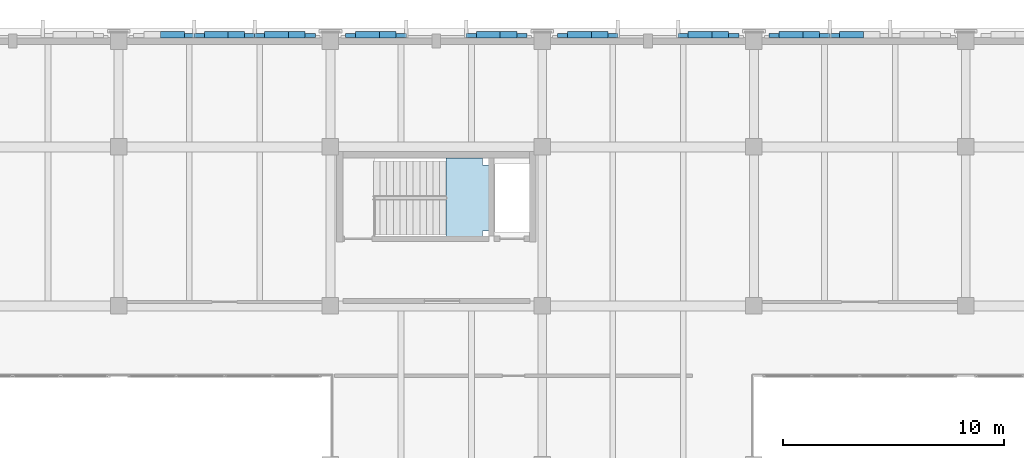
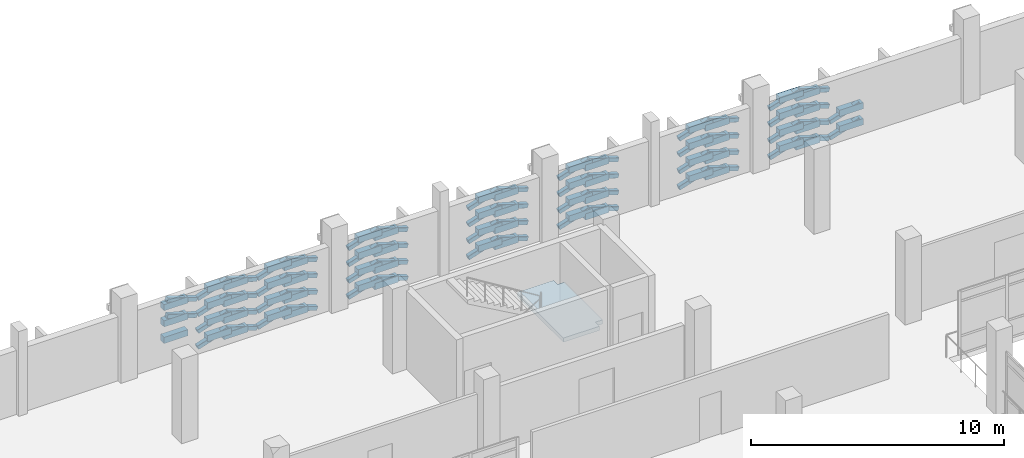
# One storey, part 136 of 180: 121 plates, 1 slab, 1 element without a shape of its own.
"""IFC4 building model written with IfcOpenShell, lengths in metres."""

from ifc_helpers import new_model, si_unit, direction, frame, origin, origin_2d, place, context, subcontext, project, spatial, polyline, rectangle, hollow_rectangle, outline, extrude, material, layer, layer_set, material_profile, profile_set, type_object, element, aggregate, save


model = new_model("IFC4")

# Units and contexts
model_context = context("Model", 3, precision=1e-05, world=origin(), true_north=direction((0.0, 1.0)))
body_context = subcontext(model_context, "Body", "Model", "MODEL_VIEW")
ifc_project = project(units=[si_unit("LENGTHUNIT", "METRE"), si_unit("AREAUNIT", "SQUARE_METRE"), si_unit("VOLUMEUNIT", "CUBIC_METRE"), si_unit("PLANEANGLEUNIT", "RADIAN"), si_unit("MASSUNIT", "GRAM", prefix="KILO")], contexts=[model_context])

# Site, building, storey
site_placement = place(None, origin())
site = spatial("IfcSite", under=ifc_project, at=site_placement, CompositionType="ELEMENT")
building_placement = place(site_placement, origin())
building = spatial("IfcBuilding", under=site, at=building_placement, Name="Asteropetra Specialist Clinic", CompositionType="ELEMENT")
storey_placement = place(building_placement, frame((0.0, 0.0, 4.419921875)))
storey = spatial("IfcBuildingStorey", under=building, at=storey_placement, Name="L01", CompositionType="ELEMENT", Elevation=4.419921875)

# Plates
ifc_material_1 = material(Name="Chevron emerald aluminium 6063-T6", Category="aluminium")
ifc_material_profile = material_profile(ifc_material_1, hollow_rectangle(XDim=0.199951171875, YDim=0.199951171875, WallThickness=0.010009765625, InnerFilletRadius=0.008056640625, OuterFilletRadius=0.01611328125, at=origin_2d()), Name="SHS 200x200x10.0")
ifc_profile_set = profile_set([ifc_material_profile], Name="Chevron emerald aluminium 6063-T6")
plate_type_1 = type_object("IfcPlateType", Name="CHV-RIB-200", PredefinedType="SHEET", material=ifc_profile_set)
plate_1_placement = place(storey_placement, frame((28.0849609375, 110.652099609375, 0.050048828125), z_axis=(-0.952426149832, 0.0, 0.304769468807), x_axis=(0.0, -1.0, 0.0)))
element("IfcPlate", 1, at=plate_1_placement, inside=storey, type_object=plate_type_1, Name="Chevron Facade Screen Fin CVR-0419", PredefinedType="SHEET", context=body_context, shape_type="SweptSolid", body=[
    extrude(hollow_rectangle(XDim=0.199951171875, YDim=0.199951171875, WallThickness=0.010009765625, InnerFilletRadius=0.008056640625, OuterFilletRadius=0.01611328125, at=origin_2d()), origin(), (0.0, 0.0, 1.0), 1.41552734375),
])
plate_2_placement = place(storey_placement, frame((26.73681640625, 110.652099609375, 0.4814453125), z_axis=(-0.952458175178, 0.0, -0.304669369214), x_axis=(0.0, -1.0, 0.0)))
element("IfcPlate", 2, at=plate_2_placement, inside=storey, type_object=plate_type_1, Name="Chevron Facade Screen Fin CVR-0420", PredefinedType="SHEET", context=body_context, shape_type="SweptSolid", body=[
    extrude(hollow_rectangle(XDim=0.199951171875, YDim=0.199951171875, WallThickness=0.010009765625, InnerFilletRadius=0.008056640625, OuterFilletRadius=0.01611328125, at=origin_2d()), origin(), (0.0, 0.0, 1.0), 1.416015625),
])
plate_3_placement = place(storey_placement, frame((28.0849609375, 110.652099609375, 0.820068359375), z_axis=(-0.952426149832, 0.0, 0.304769468807), x_axis=(0.0, -1.0, 0.0)))
element("IfcPlate", 3, at=plate_3_placement, inside=storey, type_object=plate_type_1, Name="Chevron Facade Screen Fin CVR-0421", PredefinedType="SHEET", context=body_context, shape_type="SweptSolid", body=[
    extrude(hollow_rectangle(XDim=0.199951171875, YDim=0.199951171875, WallThickness=0.010009765625, InnerFilletRadius=0.008056640625, OuterFilletRadius=0.01611328125, at=origin_2d()), origin(), (0.0, 0.0, 1.0), 1.41552734375),
])
plate_4_placement = place(storey_placement, frame((26.73681640625, 110.652099609375, 1.25146484375), z_axis=(-0.952458175178, 0.0, -0.304669369214), x_axis=(0.0, -1.0, 0.0)))
element("IfcPlate", 4, at=plate_4_placement, inside=storey, type_object=plate_type_1, Name="Chevron Facade Screen Fin CVR-0422", PredefinedType="SHEET", context=body_context, shape_type="SweptSolid", body=[
    extrude(hollow_rectangle(XDim=0.199951171875, YDim=0.199951171875, WallThickness=0.010009765625, InnerFilletRadius=0.008056640625, OuterFilletRadius=0.01611328125, at=origin_2d()), origin(), (0.0, 0.0, 1.0), 1.416015625),
])
plate_5_placement = place(storey_placement, frame((28.0849609375, 110.652099609375, 1.6201171875), z_axis=(-0.952426149832, 0.0, 0.304769468807), x_axis=(0.0, -1.0, 0.0)))
element("IfcPlate", 5, at=plate_5_placement, inside=storey, type_object=plate_type_1, Name="Chevron Facade Screen Fin CVR-0423", PredefinedType="SHEET", context=body_context, shape_type="SweptSolid", body=[
    extrude(hollow_rectangle(XDim=0.199951171875, YDim=0.199951171875, WallThickness=0.010009765625, InnerFilletRadius=0.008056640625, OuterFilletRadius=0.01611328125, at=origin_2d()), origin(), (0.0, 0.0, 1.0), 1.41552734375),
])
plate_6_placement = place(storey_placement, frame((26.73681640625, 110.652099609375, 2.051513671875), z_axis=(-0.952458175178, 0.0, -0.304669369214), x_axis=(0.0, -1.0, 0.0)))
element("IfcPlate", 6, at=plate_6_placement, inside=storey, type_object=plate_type_1, Name="Chevron Facade Screen Fin CVR-0424", PredefinedType="SHEET", context=body_context, shape_type="SweptSolid", body=[
    extrude(hollow_rectangle(XDim=0.199951171875, YDim=0.199951171875, WallThickness=0.010009765625, InnerFilletRadius=0.008056640625, OuterFilletRadius=0.01611328125, at=origin_2d()), origin(), (0.0, 0.0, 1.0), 1.416015625),
])
plate_7_placement = place(storey_placement, frame((28.0849609375, 110.652099609375, 2.400146484375), z_axis=(-0.952426149832, 0.0, 0.304769468807), x_axis=(0.0, -1.0, 0.0)))
element("IfcPlate", 7, at=plate_7_placement, inside=storey, type_object=plate_type_1, Name="Chevron Facade Screen Fin CVR-0425", PredefinedType="SHEET", context=body_context, shape_type="SweptSolid", body=[
    extrude(hollow_rectangle(XDim=0.199951171875, YDim=0.199951171875, WallThickness=0.010009765625, InnerFilletRadius=0.008056640625, OuterFilletRadius=0.01611328125, at=origin_2d()), origin(), (0.0, 0.0, 1.0), 1.41552734375),
])
plate_8_placement = place(storey_placement, frame((26.73681640625, 110.652099609375, 2.83154296875), z_axis=(-0.952458175178, 0.0, -0.304669369214), x_axis=(0.0, -1.0, 0.0)))
element("IfcPlate", 8, at=plate_8_placement, inside=storey, type_object=plate_type_1, Name="Chevron Facade Screen Fin CVR-0426", PredefinedType="SHEET", context=body_context, shape_type="SweptSolid", body=[
    extrude(hollow_rectangle(XDim=0.199951171875, YDim=0.199951171875, WallThickness=0.010009765625, InnerFilletRadius=0.008056640625, OuterFilletRadius=0.01611328125, at=origin_2d()), origin(), (0.0, 0.0, 1.0), 1.416015625),
])
for number, where, z_axis, x_axis, name in (
    (9, (25.348388671875, 110.652099609375, 0.050048828125), (-0.95244216645, 0.0, 0.304719411211), (0.0, -1.0, 0.0), "Chevron Facade Screen Fin CVR-0427"),
    (10, (24.0, 110.652099609375, 0.4814453125), (-0.95244216645, 0.0, -0.304719411211), (0.0, -1.0, 0.0), "Chevron Facade Screen Fin CVR-0428"),
    (11, (25.348388671875, 110.652099609375, 0.820068359375), (-0.95244216645, 0.0, 0.304719411211), (0.0, -1.0, 0.0), "Chevron Facade Screen Fin CVR-0429"),
    (12, (24.0, 110.652099609375, 1.25146484375), (-0.95244216645, 0.0, -0.304719411211), (0.0, -1.0, 0.0), "Chevron Facade Screen Fin CVR-0430"),
    (13, (25.348388671875, 110.652099609375, 1.6201171875), (-0.95244216645, 0.0, 0.304719411211), (0.0, -1.0, 0.0), "Chevron Facade Screen Fin CVR-0431"),
    (14, (24.0, 110.652099609375, 2.051513671875), (-0.95244216645, 0.0, -0.304719411211), (0.0, -1.0, 0.0), "Chevron Facade Screen Fin CVR-0432"),
    (15, (25.348388671875, 110.652099609375, 2.400146484375), (-0.95244216645, 0.0, 0.304719411211), (0.0, -1.0, 0.0), "Chevron Facade Screen Fin CVR-0433"),
    (16, (24.0, 110.652099609375, 2.83154296875), (-0.95244216645, 0.0, -0.304719411211), (0.0, -1.0, 0.0), "Chevron Facade Screen Fin CVR-0434"),
):
    element("IfcPlate", number, at=place(storey_placement, frame(where, z_axis=z_axis, x_axis=x_axis)), inside=storey, type_object=plate_type_1, Name=name, PredefinedType="SHEET", context=body_context, shape_type="SweptSolid", body=[
        extrude(hollow_rectangle(XDim=0.199951171875, YDim=0.199951171875, WallThickness=0.010009765625, InnerFilletRadius=0.008056640625, OuterFilletRadius=0.01611328125, at=origin_2d()), origin(), (0.0, 0.0, 1.0), 1.415771484375),
    ])
for number, where, z_axis, x_axis, name in (
    (17, (22.61181640625, 110.652099609375, 1.6201171875), (-0.952458175178, 0.0, 0.304669369214), (0.0, -1.0, 0.0), "Chevron Facade Screen Fin CVR-0439"),
    (18, (22.61181640625, 110.652099609375, 2.400146484375), (-0.952458175178, 0.0, 0.304669369214), (0.0, -1.0, 0.0), "Chevron Facade Screen Fin CVR-0441"),
):
    element("IfcPlate", number, at=place(storey_placement, frame(where, z_axis=z_axis, x_axis=x_axis)), inside=storey, type_object=plate_type_1, Name=name, PredefinedType="SHEET", context=body_context, shape_type="SweptSolid", body=[
        extrude(hollow_rectangle(XDim=0.199951171875, YDim=0.199951171875, WallThickness=0.010009765625, InnerFilletRadius=0.008056640625, OuterFilletRadius=0.01611328125, at=origin_2d()), origin(), (0.0, 0.0, 1.0), 1.416015625),
    ])
for number, where, z_axis, x_axis, name in (
    (19, (37.68505859375, 110.652099609375, 0.050048828125), (-0.95244216645, 0.0, 0.304719411211), (0.0, -1.0, 0.0), "Chevron Facade Screen Fin CVR-0467"),
    (20, (36.336669921875, 110.652099609375, 0.4814453125), (-0.95244216645, 0.0, -0.304719411211), (0.0, -1.0, 0.0), "Chevron Facade Screen Fin CVR-0468"),
    (21, (37.68505859375, 110.652099609375, 0.820068359375), (-0.95244216645, 0.0, 0.304719411211), (0.0, -1.0, 0.0), "Chevron Facade Screen Fin CVR-0469"),
    (22, (36.336669921875, 110.652099609375, 1.25146484375), (-0.95244216645, 0.0, -0.304719411211), (0.0, -1.0, 0.0), "Chevron Facade Screen Fin CVR-0470"),
    (23, (37.68505859375, 110.652099609375, 1.6201171875), (-0.95244216645, 0.0, 0.304719411211), (0.0, -1.0, 0.0), "Chevron Facade Screen Fin CVR-0471"),
    (24, (36.336669921875, 110.652099609375, 2.051513671875), (-0.95244216645, 0.0, -0.304719411211), (0.0, -1.0, 0.0), "Chevron Facade Screen Fin CVR-0472"),
    (25, (37.68505859375, 110.652099609375, 2.400146484375), (-0.95244216645, 0.0, 0.304719411211), (0.0, -1.0, 0.0), "Chevron Facade Screen Fin CVR-0473"),
    (26, (36.336669921875, 110.652099609375, 2.83154296875), (-0.95244216645, 0.0, -0.304719411211), (0.0, -1.0, 0.0), "Chevron Facade Screen Fin CVR-0474"),
    (27, (32.211669921875, 110.652099609375, 0.050048828125), (-0.95244216645, 0.0, 0.304719411211), (0.0, -1.0, 0.0), "Chevron Facade Screen Fin CVR-0475"),
    (28, (30.86328125, 110.652099609375, 0.4814453125), (-0.95244216645, 0.0, -0.304719411211), (0.0, -1.0, 0.0), "Chevron Facade Screen Fin CVR-0476"),
    (29, (32.211669921875, 110.652099609375, 0.820068359375), (-0.95244216645, 0.0, 0.304719411211), (0.0, -1.0, 0.0), "Chevron Facade Screen Fin CVR-0477"),
    (30, (30.86328125, 110.652099609375, 1.25146484375), (-0.95244216645, 0.0, -0.304719411211), (0.0, -1.0, 0.0), "Chevron Facade Screen Fin CVR-0478"),
    (31, (32.211669921875, 110.652099609375, 1.6201171875), (-0.95244216645, 0.0, 0.304719411211), (0.0, -1.0, 0.0), "Chevron Facade Screen Fin CVR-0479"),
    (32, (30.86328125, 110.652099609375, 2.051513671875), (-0.95244216645, 0.0, -0.304719411211), (0.0, -1.0, 0.0), "Chevron Facade Screen Fin CVR-0480"),
    (33, (32.211669921875, 110.652099609375, 2.400146484375), (-0.95244216645, 0.0, 0.304719411211), (0.0, -1.0, 0.0), "Chevron Facade Screen Fin CVR-0481"),
    (34, (30.86328125, 110.652099609375, 2.83154296875), (-0.95244216645, 0.0, -0.304719411211), (0.0, -1.0, 0.0), "Chevron Facade Screen Fin CVR-0482"),
):
    element("IfcPlate", number, at=place(storey_placement, frame(where, z_axis=z_axis, x_axis=x_axis)), inside=storey, type_object=plate_type_1, Name=name, PredefinedType="SHEET", context=body_context, shape_type="SweptSolid", body=[
        extrude(hollow_rectangle(XDim=0.199951171875, YDim=0.199951171875, WallThickness=0.010009765625, InnerFilletRadius=0.008056640625, OuterFilletRadius=0.01611328125, at=origin_2d()), origin(), (0.0, 0.0, 1.0), 1.415771484375),
    ])
plate_9_placement = place(storey_placement, frame((47.284912109375, 110.652099609375, 0.050048828125), z_axis=(-0.952426149832, 0.0, 0.304769468807), x_axis=(0.0, -1.0, 0.0)))
element("IfcPlate", 35, at=plate_9_placement, inside=storey, type_object=plate_type_1, Name="Chevron Facade Screen Fin CVR-0507", PredefinedType="SHEET", context=body_context, shape_type="SweptSolid", body=[
    extrude(hollow_rectangle(XDim=0.199951171875, YDim=0.199951171875, WallThickness=0.010009765625, InnerFilletRadius=0.008056640625, OuterFilletRadius=0.01611328125, at=origin_2d()), origin(), (0.0, 0.0, 1.0), 1.41552734375),
])
plate_10_placement = place(storey_placement, frame((45.936767578125, 110.652099609375, 0.4814453125), z_axis=(-0.95244216645, 0.0, -0.304719411211), x_axis=(0.0, -1.0, 0.0)))
element("IfcPlate", 36, at=plate_10_placement, inside=storey, type_object=plate_type_1, Name="Chevron Facade Screen Fin CVR-0508", PredefinedType="SHEET", context=body_context, shape_type="SweptSolid", body=[
    extrude(hollow_rectangle(XDim=0.199951171875, YDim=0.199951171875, WallThickness=0.010009765625, InnerFilletRadius=0.008056640625, OuterFilletRadius=0.01611328125, at=origin_2d()), origin(), (0.0, 0.0, 1.0), 1.415771484375),
])
plate_11_placement = place(storey_placement, frame((47.284912109375, 110.652099609375, 0.820068359375), z_axis=(-0.952426149832, 0.0, 0.304769468807), x_axis=(0.0, -1.0, 0.0)))
element("IfcPlate", 37, at=plate_11_placement, inside=storey, type_object=plate_type_1, Name="Chevron Facade Screen Fin CVR-0509", PredefinedType="SHEET", context=body_context, shape_type="SweptSolid", body=[
    extrude(hollow_rectangle(XDim=0.199951171875, YDim=0.199951171875, WallThickness=0.010009765625, InnerFilletRadius=0.008056640625, OuterFilletRadius=0.01611328125, at=origin_2d()), origin(), (0.0, 0.0, 1.0), 1.41552734375),
])
plate_12_placement = place(storey_placement, frame((45.936767578125, 110.652099609375, 1.25146484375), z_axis=(-0.95244216645, 0.0, -0.304719411211), x_axis=(0.0, -1.0, 0.0)))
element("IfcPlate", 38, at=plate_12_placement, inside=storey, type_object=plate_type_1, Name="Chevron Facade Screen Fin CVR-0510", PredefinedType="SHEET", context=body_context, shape_type="SweptSolid", body=[
    extrude(hollow_rectangle(XDim=0.199951171875, YDim=0.199951171875, WallThickness=0.010009765625, InnerFilletRadius=0.008056640625, OuterFilletRadius=0.01611328125, at=origin_2d()), origin(), (0.0, 0.0, 1.0), 1.415771484375),
])
plate_13_placement = place(storey_placement, frame((47.284912109375, 110.652099609375, 1.6201171875), z_axis=(-0.952426149832, 0.0, 0.304769468807), x_axis=(0.0, -1.0, 0.0)))
element("IfcPlate", 39, at=plate_13_placement, inside=storey, type_object=plate_type_1, Name="Chevron Facade Screen Fin CVR-0511", PredefinedType="SHEET", context=body_context, shape_type="SweptSolid", body=[
    extrude(hollow_rectangle(XDim=0.199951171875, YDim=0.199951171875, WallThickness=0.010009765625, InnerFilletRadius=0.008056640625, OuterFilletRadius=0.01611328125, at=origin_2d()), origin(), (0.0, 0.0, 1.0), 1.41552734375),
])
plate_14_placement = place(storey_placement, frame((45.936767578125, 110.652099609375, 2.051513671875), z_axis=(-0.95244216645, 0.0, -0.304719411211), x_axis=(0.0, -1.0, 0.0)))
element("IfcPlate", 40, at=plate_14_placement, inside=storey, type_object=plate_type_1, Name="Chevron Facade Screen Fin CVR-0512", PredefinedType="SHEET", context=body_context, shape_type="SweptSolid", body=[
    extrude(hollow_rectangle(XDim=0.199951171875, YDim=0.199951171875, WallThickness=0.010009765625, InnerFilletRadius=0.008056640625, OuterFilletRadius=0.01611328125, at=origin_2d()), origin(), (0.0, 0.0, 1.0), 1.415771484375),
])
plate_15_placement = place(storey_placement, frame((47.284912109375, 110.652099609375, 2.400146484375), z_axis=(-0.952426149832, 0.0, 0.304769468807), x_axis=(0.0, -1.0, 0.0)))
element("IfcPlate", 41, at=plate_15_placement, inside=storey, type_object=plate_type_1, Name="Chevron Facade Screen Fin CVR-0513", PredefinedType="SHEET", context=body_context, shape_type="SweptSolid", body=[
    extrude(hollow_rectangle(XDim=0.199951171875, YDim=0.199951171875, WallThickness=0.010009765625, InnerFilletRadius=0.008056640625, OuterFilletRadius=0.01611328125, at=origin_2d()), origin(), (0.0, 0.0, 1.0), 1.41552734375),
])
for number, where, z_axis, x_axis, name in (
    (42, (45.936767578125, 110.652099609375, 2.83154296875), (-0.95244216645, 0.0, -0.304719411211), (0.0, -1.0, 0.0), "Chevron Facade Screen Fin CVR-0514"),
    (43, (41.811767578125, 110.652099609375, 0.050048828125), (-0.95244216645, 0.0, 0.304719411211), (0.0, -1.0, 0.0), "Chevron Facade Screen Fin CVR-0515"),
    (44, (40.46337890625, 110.652099609375, 0.4814453125), (-0.95244216645, 0.0, -0.304719411211), (0.0, -1.0, 0.0), "Chevron Facade Screen Fin CVR-0516"),
    (45, (41.811767578125, 110.652099609375, 0.820068359375), (-0.95244216645, 0.0, 0.304719411211), (0.0, -1.0, 0.0), "Chevron Facade Screen Fin CVR-0517"),
    (46, (40.46337890625, 110.652099609375, 1.25146484375), (-0.95244216645, 0.0, -0.304719411211), (0.0, -1.0, 0.0), "Chevron Facade Screen Fin CVR-0518"),
    (47, (41.811767578125, 110.652099609375, 1.6201171875), (-0.95244216645, 0.0, 0.304719411211), (0.0, -1.0, 0.0), "Chevron Facade Screen Fin CVR-0519"),
    (48, (40.46337890625, 110.652099609375, 2.051513671875), (-0.95244216645, 0.0, -0.304719411211), (0.0, -1.0, 0.0), "Chevron Facade Screen Fin CVR-0520"),
    (49, (41.811767578125, 110.652099609375, 2.400146484375), (-0.95244216645, 0.0, 0.304719411211), (0.0, -1.0, 0.0), "Chevron Facade Screen Fin CVR-0521"),
    (50, (40.46337890625, 110.652099609375, 2.83154296875), (-0.95244216645, 0.0, -0.304719411211), (0.0, -1.0, 0.0), "Chevron Facade Screen Fin CVR-0522"),
    (51, (52.800048828125, 110.652099609375, 0.4814453125), (-0.95244216645, 0.0, -0.304719411211), (0.0, -1.0, 0.0), "Chevron Facade Screen Fin CVR-0556"),
    (52, (52.800048828125, 110.652099609375, 1.25146484375), (-0.95244216645, 0.0, -0.304719411211), (0.0, -1.0, 0.0), "Chevron Facade Screen Fin CVR-0558"),
    (53, (51.41162109375, 110.652099609375, 0.050048828125), (-0.95244216645, 0.0, 0.304719411211), (0.0, -1.0, 0.0), "Chevron Facade Screen Fin CVR-0563"),
):
    element("IfcPlate", number, at=place(storey_placement, frame(where, z_axis=z_axis, x_axis=x_axis)), inside=storey, type_object=plate_type_1, Name=name, PredefinedType="SHEET", context=body_context, shape_type="SweptSolid", body=[
        extrude(hollow_rectangle(XDim=0.199951171875, YDim=0.199951171875, WallThickness=0.010009765625, InnerFilletRadius=0.008056640625, OuterFilletRadius=0.01611328125, at=origin_2d()), origin(), (0.0, 0.0, 1.0), 1.415771484375),
    ])
plate_16_placement = place(storey_placement, frame((50.063232421875, 110.652099609375, 0.4814453125), z_axis=(-0.952426149832, 0.0, -0.304769468807), x_axis=(0.0, -1.0, 0.0)))
element("IfcPlate", 54, at=plate_16_placement, inside=storey, type_object=plate_type_1, Name="Chevron Facade Screen Fin CVR-0564", PredefinedType="SHEET", context=body_context, shape_type="SweptSolid", body=[
    extrude(hollow_rectangle(XDim=0.199951171875, YDim=0.199951171875, WallThickness=0.010009765625, InnerFilletRadius=0.008056640625, OuterFilletRadius=0.01611328125, at=origin_2d()), origin(), (0.0, 0.0, 1.0), 1.41552734375),
])
plate_17_placement = place(storey_placement, frame((51.41162109375, 110.652099609375, 0.820068359375), z_axis=(-0.95244216645, 0.0, 0.304719411211), x_axis=(0.0, -1.0, 0.0)))
element("IfcPlate", 55, at=plate_17_placement, inside=storey, type_object=plate_type_1, Name="Chevron Facade Screen Fin CVR-0565", PredefinedType="SHEET", context=body_context, shape_type="SweptSolid", body=[
    extrude(hollow_rectangle(XDim=0.199951171875, YDim=0.199951171875, WallThickness=0.010009765625, InnerFilletRadius=0.008056640625, OuterFilletRadius=0.01611328125, at=origin_2d()), origin(), (0.0, 0.0, 1.0), 1.415771484375),
])
plate_18_placement = place(storey_placement, frame((50.063232421875, 110.652099609375, 1.25146484375), z_axis=(-0.952426149832, 0.0, -0.304769468807), x_axis=(0.0, -1.0, 0.0)))
element("IfcPlate", 56, at=plate_18_placement, inside=storey, type_object=plate_type_1, Name="Chevron Facade Screen Fin CVR-0566", PredefinedType="SHEET", context=body_context, shape_type="SweptSolid", body=[
    extrude(hollow_rectangle(XDim=0.199951171875, YDim=0.199951171875, WallThickness=0.010009765625, InnerFilletRadius=0.008056640625, OuterFilletRadius=0.01611328125, at=origin_2d()), origin(), (0.0, 0.0, 1.0), 1.41552734375),
])
plate_19_placement = place(storey_placement, frame((51.41162109375, 110.652099609375, 1.6201171875), z_axis=(-0.95244216645, 0.0, 0.304719411211), x_axis=(0.0, -1.0, 0.0)))
element("IfcPlate", 57, at=plate_19_placement, inside=storey, type_object=plate_type_1, Name="Chevron Facade Screen Fin CVR-0567", PredefinedType="SHEET", context=body_context, shape_type="SweptSolid", body=[
    extrude(hollow_rectangle(XDim=0.199951171875, YDim=0.199951171875, WallThickness=0.010009765625, InnerFilletRadius=0.008056640625, OuterFilletRadius=0.01611328125, at=origin_2d()), origin(), (0.0, 0.0, 1.0), 1.415771484375),
])
plate_20_placement = place(storey_placement, frame((50.063232421875, 110.652099609375, 2.051513671875), z_axis=(-0.952426149832, 0.0, -0.304769468807), x_axis=(0.0, -1.0, 0.0)))
element("IfcPlate", 58, at=plate_20_placement, inside=storey, type_object=plate_type_1, Name="Chevron Facade Screen Fin CVR-0568", PredefinedType="SHEET", context=body_context, shape_type="SweptSolid", body=[
    extrude(hollow_rectangle(XDim=0.199951171875, YDim=0.199951171875, WallThickness=0.010009765625, InnerFilletRadius=0.008056640625, OuterFilletRadius=0.01611328125, at=origin_2d()), origin(), (0.0, 0.0, 1.0), 1.41552734375),
])
plate_21_placement = place(storey_placement, frame((51.41162109375, 110.652099609375, 2.400146484375), z_axis=(-0.95244216645, 0.0, 0.304719411211), x_axis=(0.0, -1.0, 0.0)))
element("IfcPlate", 59, at=plate_21_placement, inside=storey, type_object=plate_type_1, Name="Chevron Facade Screen Fin CVR-0569", PredefinedType="SHEET", context=body_context, shape_type="SweptSolid", body=[
    extrude(hollow_rectangle(XDim=0.199951171875, YDim=0.199951171875, WallThickness=0.010009765625, InnerFilletRadius=0.008056640625, OuterFilletRadius=0.01611328125, at=origin_2d()), origin(), (0.0, 0.0, 1.0), 1.415771484375),
])
plate_22_placement = place(storey_placement, frame((50.063232421875, 110.652099609375, 2.83154296875), z_axis=(-0.952426149832, 0.0, -0.304769468807), x_axis=(0.0, -1.0, 0.0)))
element("IfcPlate", 60, at=plate_22_placement, inside=storey, type_object=plate_type_1, Name="Chevron Facade Screen Fin CVR-0570", PredefinedType="SHEET", context=body_context, shape_type="SweptSolid", body=[
    extrude(hollow_rectangle(XDim=0.199951171875, YDim=0.199951171875, WallThickness=0.010009765625, InnerFilletRadius=0.008056640625, OuterFilletRadius=0.01611328125, at=origin_2d()), origin(), (0.0, 0.0, 1.0), 1.41552734375),
])
ifc_material_2 = material(Name="Aluminium 6063-T6", Category="aluminium")
ifc_layer_1 = layer(ifc_material_2, 0.139892578125)
ifc_layer_set_1 = layer_set([ifc_layer_1], Name="Aluminium 6063-T6")
plate_type_2 = type_object("IfcPlateType", Name="PLT-CHV-TILE", PredefinedType="SHEET", material=ifc_layer_set_1)
for number, where, z_axis, x_axis, name in (
    (61, (27.1142578125, 110.68994140625, 0.029296875), (0.0, 0.0, 1.0), (1.0, 0.0, 0.0), "Chevron Ceramic Panel CPT-0057"),
    (62, (26.359130859375, 110.68994140625, 0.193359375), (0.0, 0.0, 1.0), (1.0, 0.0, 0.0), "Chevron Ceramic Panel CPT-0058"),
    (63, (27.1142578125, 110.68994140625, 0.79931640625), (0.0, 0.0, 1.0), (1.0, 0.0, 0.0), "Chevron Ceramic Panel CPT-0059"),
    (64, (26.359130859375, 110.68994140625, 0.96337890625), (0.0, 0.0, 1.0), (1.0, 0.0, 0.0), "Chevron Ceramic Panel CPT-0060"),
    (65, (27.1142578125, 110.68994140625, 1.599609375), (0.0, 0.0, 1.0), (1.0, 0.0, 0.0), "Chevron Ceramic Panel CPT-0061"),
    (66, (26.359130859375, 110.68994140625, 1.763671875), (0.0, 0.0, 1.0), (1.0, 0.0, 0.0), "Chevron Ceramic Panel CPT-0062"),
    (67, (27.1142578125, 110.68994140625, 2.37939453125), (0.0, 0.0, 1.0), (1.0, 0.0, 0.0), "Chevron Ceramic Panel CPT-0063"),
    (68, (26.359130859375, 110.68994140625, 2.54345703125), (0.0, 0.0, 1.0), (1.0, 0.0, 0.0), "Chevron Ceramic Panel CPT-0064"),
    (69, (24.37744140625, 110.68994140625, 0.029296875), (0.0, 0.0, 1.0), (1.0, 0.0, 0.0), "Chevron Ceramic Panel CPT-0065"),
    (70, (23.62255859375, 110.68994140625, 0.193359375), (0.0, 0.0, 1.0), (1.0, 0.0, 0.0), "Chevron Ceramic Panel CPT-0066"),
    (71, (24.37744140625, 110.68994140625, 0.79931640625), (0.0, 0.0, 1.0), (1.0, 0.0, 0.0), "Chevron Ceramic Panel CPT-0067"),
    (72, (23.62255859375, 110.68994140625, 0.96337890625), (0.0, 0.0, 1.0), (1.0, 0.0, 0.0), "Chevron Ceramic Panel CPT-0068"),
    (73, (24.37744140625, 110.68994140625, 1.599609375), (0.0, 0.0, 1.0), (1.0, 0.0, 0.0), "Chevron Ceramic Panel CPT-0069"),
    (74, (23.62255859375, 110.68994140625, 1.763671875), (0.0, 0.0, 1.0), (1.0, 0.0, 0.0), "Chevron Ceramic Panel CPT-0070"),
    (75, (24.37744140625, 110.68994140625, 2.37939453125), (0.0, 0.0, 1.0), (1.0, 0.0, 0.0), "Chevron Ceramic Panel CPT-0071"),
    (76, (23.62255859375, 110.68994140625, 2.54345703125), (0.0, 0.0, 1.0), (1.0, 0.0, 0.0), "Chevron Ceramic Panel CPT-0072"),
    (77, (21.640869140625, 110.68994140625, 0.79931640625), (0.0, 0.0, 1.0), (1.0, 0.0, 0.0), "Chevron Ceramic Panel CPT-0075"),
    (78, (21.640869140625, 110.68994140625, 1.599609375), (0.0, 0.0, 1.0), (1.0, 0.0, 0.0), "Chevron Ceramic Panel CPT-0077"),
    (79, (21.640869140625, 110.68994140625, 2.37939453125), (0.0, 0.0, 1.0), (1.0, 0.0, 0.0), "Chevron Ceramic Panel CPT-0079"),
    (80, (36.714111328125, 110.68994140625, 0.029296875), (0.0, 0.0, 1.0), (1.0, 0.0, 0.0), "Chevron Ceramic Panel CPT-0105"),
    (81, (35.958984375, 110.68994140625, 0.193359375), (0.0, 0.0, 1.0), (1.0, 0.0, 0.0), "Chevron Ceramic Panel CPT-0106"),
    (82, (36.714111328125, 110.68994140625, 0.79931640625), (0.0, 0.0, 1.0), (1.0, 0.0, 0.0), "Chevron Ceramic Panel CPT-0107"),
    (83, (35.958984375, 110.68994140625, 0.96337890625), (0.0, 0.0, 1.0), (1.0, 0.0, 0.0), "Chevron Ceramic Panel CPT-0108"),
    (84, (36.714111328125, 110.68994140625, 1.599609375), (0.0, 0.0, 1.0), (1.0, 0.0, 0.0), "Chevron Ceramic Panel CPT-0109"),
    (85, (35.958984375, 110.68994140625, 1.763671875), (0.0, 0.0, 1.0), (1.0, 0.0, 0.0), "Chevron Ceramic Panel CPT-0110"),
    (86, (36.714111328125, 110.68994140625, 2.37939453125), (0.0, 0.0, 1.0), (1.0, 0.0, 0.0), "Chevron Ceramic Panel CPT-0111"),
    (87, (35.958984375, 110.68994140625, 2.54345703125), (0.0, 0.0, 1.0), (1.0, 0.0, 0.0), "Chevron Ceramic Panel CPT-0112"),
    (88, (31.240966796875, 110.68994140625, 0.029296875), (0.0, 0.0, 1.0), (1.0, 0.0, 0.0), "Chevron Ceramic Panel CPT-0113"),
    (89, (30.48583984375, 110.68994140625, 0.193359375), (0.0, 0.0, 1.0), (1.0, 0.0, 0.0), "Chevron Ceramic Panel CPT-0114"),
    (90, (31.240966796875, 110.68994140625, 0.79931640625), (0.0, 0.0, 1.0), (1.0, 0.0, 0.0), "Chevron Ceramic Panel CPT-0115"),
    (91, (30.48583984375, 110.68994140625, 0.96337890625), (0.0, 0.0, 1.0), (1.0, 0.0, 0.0), "Chevron Ceramic Panel CPT-0116"),
    (92, (31.240966796875, 110.68994140625, 1.599609375), (0.0, 0.0, 1.0), (1.0, 0.0, 0.0), "Chevron Ceramic Panel CPT-0117"),
    (93, (30.48583984375, 110.68994140625, 1.763671875), (0.0, 0.0, 1.0), (1.0, 0.0, 0.0), "Chevron Ceramic Panel CPT-0118"),
    (94, (31.240966796875, 110.68994140625, 2.37939453125), (0.0, 0.0, 1.0), (1.0, 0.0, 0.0), "Chevron Ceramic Panel CPT-0119"),
    (95, (30.48583984375, 110.68994140625, 2.54345703125), (0.0, 0.0, 1.0), (1.0, 0.0, 0.0), "Chevron Ceramic Panel CPT-0120"),
    (96, (46.314208984375, 110.68994140625, 0.029296875), (0.0, 0.0, 1.0), (1.0, 0.0, 0.0), "Chevron Ceramic Panel CPT-0145"),
    (97, (45.55908203125, 110.68994140625, 0.193359375), (0.0, 0.0, 1.0), (1.0, 0.0, 0.0), "Chevron Ceramic Panel CPT-0146"),
    (98, (46.314208984375, 110.68994140625, 0.79931640625), (0.0, 0.0, 1.0), (1.0, 0.0, 0.0), "Chevron Ceramic Panel CPT-0147"),
    (99, (45.55908203125, 110.68994140625, 0.96337890625), (0.0, 0.0, 1.0), (1.0, 0.0, 0.0), "Chevron Ceramic Panel CPT-0148"),
    (100, (46.314208984375, 110.68994140625, 1.599609375), (0.0, 0.0, 1.0), (1.0, 0.0, 0.0), "Chevron Ceramic Panel CPT-0149"),
    (101, (45.55908203125, 110.68994140625, 1.763671875), (0.0, 0.0, 1.0), (1.0, 0.0, 0.0), "Chevron Ceramic Panel CPT-0150"),
    (102, (46.314208984375, 110.68994140625, 2.37939453125), (0.0, 0.0, 1.0), (1.0, 0.0, 0.0), "Chevron Ceramic Panel CPT-0151"),
    (103, (45.55908203125, 110.68994140625, 2.54345703125), (0.0, 0.0, 1.0), (1.0, 0.0, 0.0), "Chevron Ceramic Panel CPT-0152"),
    (104, (40.8408203125, 110.68994140625, 0.029296875), (0.0, 0.0, 1.0), (1.0, 0.0, 0.0), "Chevron Ceramic Panel CPT-0153"),
    (105, (40.085693359375, 110.68994140625, 0.193359375), (0.0, 0.0, 1.0), (1.0, 0.0, 0.0), "Chevron Ceramic Panel CPT-0154"),
    (106, (40.8408203125, 110.68994140625, 0.79931640625), (0.0, 0.0, 1.0), (1.0, 0.0, 0.0), "Chevron Ceramic Panel CPT-0155"),
    (107, (40.085693359375, 110.68994140625, 0.96337890625), (0.0, 0.0, 1.0), (1.0, 0.0, 0.0), "Chevron Ceramic Panel CPT-0156"),
    (108, (40.8408203125, 110.68994140625, 1.599609375), (0.0, 0.0, 1.0), (1.0, 0.0, 0.0), "Chevron Ceramic Panel CPT-0157"),
    (109, (40.085693359375, 110.68994140625, 1.763671875), (0.0, 0.0, 1.0), (1.0, 0.0, 0.0), "Chevron Ceramic Panel CPT-0158"),
    (110, (40.8408203125, 110.68994140625, 2.37939453125), (0.0, 0.0, 1.0), (1.0, 0.0, 0.0), "Chevron Ceramic Panel CPT-0159"),
    (111, (40.085693359375, 110.68994140625, 2.54345703125), (0.0, 0.0, 1.0), (1.0, 0.0, 0.0), "Chevron Ceramic Panel CPT-0160"),
    (112, (52.422607421875, 110.68994140625, 0.193359375), (0.0, 0.0, 1.0), (1.0, 0.0, 0.0), "Chevron Ceramic Panel CPT-0194"),
    (113, (52.422607421875, 110.68994140625, 0.96337890625), (0.0, 0.0, 1.0), (1.0, 0.0, 0.0), "Chevron Ceramic Panel CPT-0196"),
    (114, (50.44091796875, 110.68994140625, 0.029296875), (0.0, 0.0, 1.0), (1.0, 0.0, 0.0), "Chevron Ceramic Panel CPT-0201"),
    (115, (49.685791015625, 110.68994140625, 0.193359375), (0.0, 0.0, 1.0), (1.0, 0.0, 0.0), "Chevron Ceramic Panel CPT-0202"),
    (116, (50.44091796875, 110.68994140625, 0.79931640625), (0.0, 0.0, 1.0), (1.0, 0.0, 0.0), "Chevron Ceramic Panel CPT-0203"),
    (117, (49.685791015625, 110.68994140625, 0.96337890625), (0.0, 0.0, 1.0), (1.0, 0.0, 0.0), "Chevron Ceramic Panel CPT-0204"),
    (118, (50.44091796875, 110.68994140625, 1.599609375), (0.0, 0.0, 1.0), (1.0, 0.0, 0.0), "Chevron Ceramic Panel CPT-0205"),
    (119, (49.685791015625, 110.68994140625, 1.763671875), (0.0, 0.0, 1.0), (1.0, 0.0, 0.0), "Chevron Ceramic Panel CPT-0206"),
    (120, (50.44091796875, 110.68994140625, 2.37939453125), (0.0, 0.0, 1.0), (1.0, 0.0, 0.0), "Chevron Ceramic Panel CPT-0207"),
    (121, (49.685791015625, 110.68994140625, 2.54345703125), (0.0, 0.0, 1.0), (1.0, 0.0, 0.0), "Chevron Ceramic Panel CPT-0208"),
):
    element("IfcPlate", number, at=place(storey_placement, frame(where, z_axis=z_axis, x_axis=x_axis)), inside=storey, type_object=plate_type_2, Name=name, PredefinedType="SHEET", context=body_context, shape_type="SweptSolid", body=[
        extrude(rectangle(XDim=1.0791015625, YDim=0.280029296875, at=origin_2d()), origin(), (0.0, 0.0, 1.0), 0.300048828125),
    ])

# Stair, slab
ifc_material_3 = material(Name="Concrete C35/45", Category="concrete")
stair_type = type_object("IfcStairType", Name="STR-DOG-165", PredefinedType="TWO_STRAIGHT_RUN_STAIR", material=ifc_material_3)
stair_placement = place(storey_placement, origin())
stair = element("IfcStair", 122, at=stair_placement, inside=storey, type_object=stair_type, Name="Type I Stair ST02-L01", PredefinedType="TWO_STRAIGHT_RUN_STAIR")
ifc_material_4 = material(Name="Concrete C35/45", Category="concrete")
ifc_layer_2 = layer(ifc_material_4, 0.199951171875)
ifc_layer_set_2 = layer_set([ifc_layer_2], Name="Concrete C35/45")
slab_type = type_object("IfcSlabType", Name="SLB-LND-200", PredefinedType="LANDING", material=ifc_layer_set_2)
slab_placement = place(storey_placement, frame((0.0, 0.0, 1.840087890625)))
slab = element("IfcSlab", 123, at=slab_placement, type_object=slab_type, Name="ST02-L01 landing 1", PredefinedType="LANDING", context=body_context, shape_type="SweptSolid", body=[
    extrude(outline(polyline([(34.050048828125, 101.469970703125), (35.699951171875, 101.469970703125), (35.699951171875, 101.7900390625), (36.02001953125, 101.7900390625), (36.02001953125, 104.7900390625), (35.699951171875, 104.7900390625), (35.699951171875, 105.110107421875), (34.050048828125, 105.110107421875), (34.050048828125, 101.469970703125)])), origin(), (0.0, 0.0, 1.0), 0.199951171875),
])
aggregate(stair, [slab])

save(model, "model.ifc")
